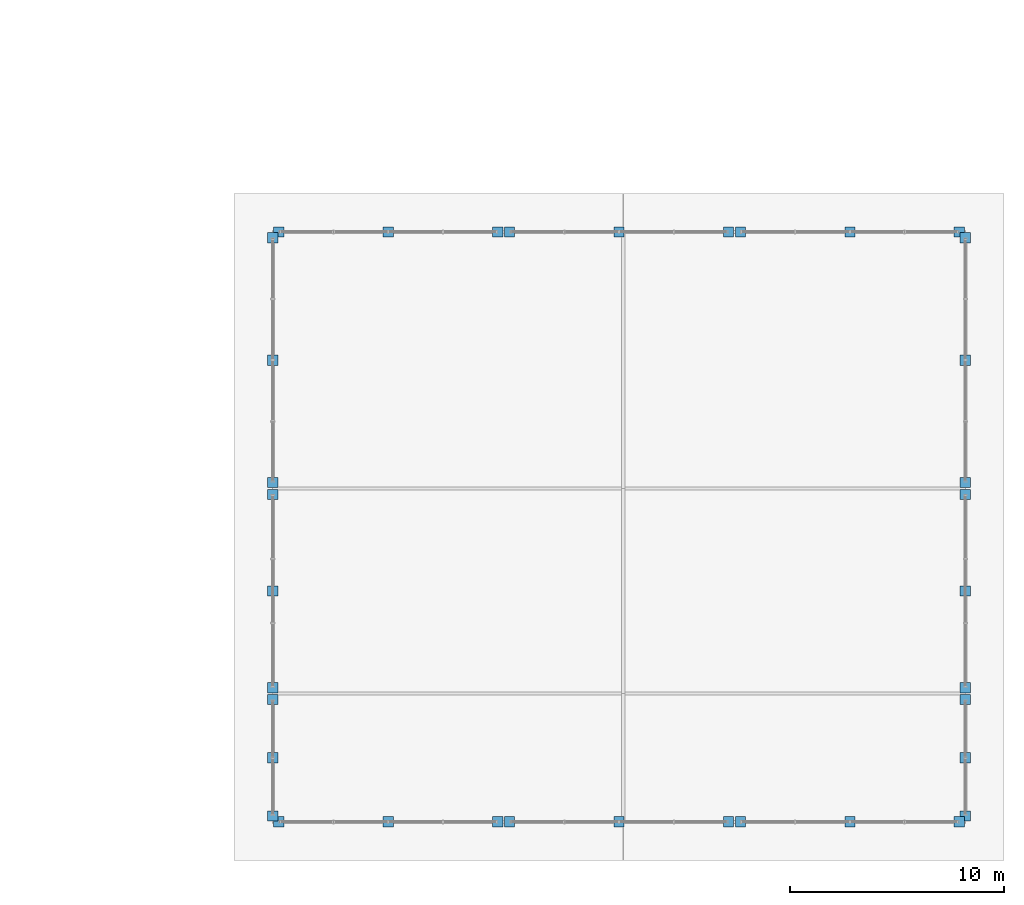
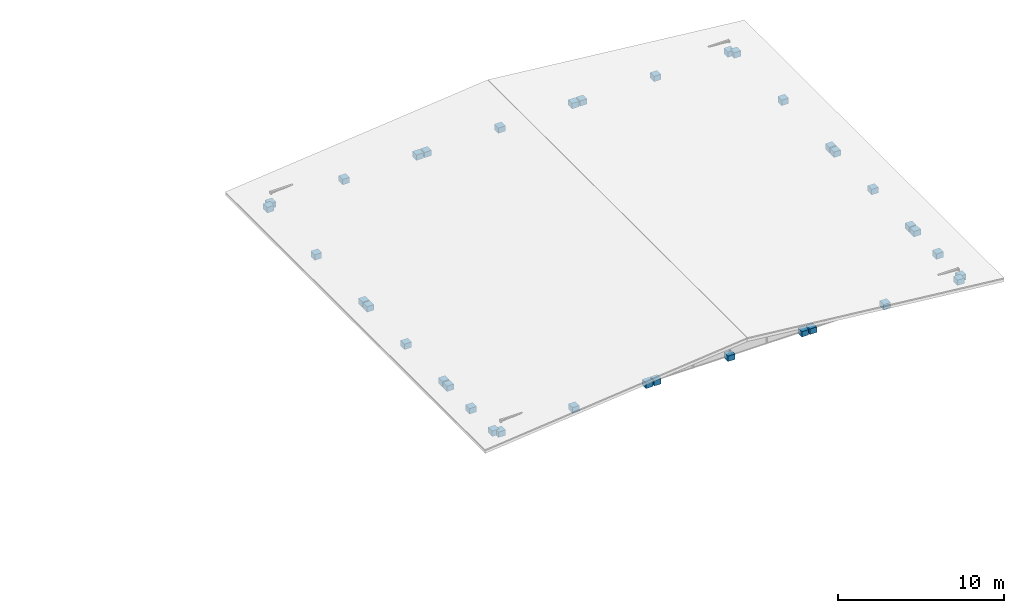
# One storey, part 111 of 117: 36 discrete accessories.
"""IFC4 building model written with IfcOpenShell, lengths in metres."""

from ifc_helpers import new_model, si_unit, direction, frame, origin, origin_2d, place, context, subcontext, project, spatial, rectangle, extrude, material, layer, layer_set, type_object, element, save


model = new_model("IFC4")

# Units and contexts
model_context = context("Model", 3, precision=1e-05, world=origin(), true_north=direction((0.0, 1.0)))
body_context = subcontext(model_context, "Body", "Model", "MODEL_VIEW")
ifc_project = project(units=[si_unit("LENGTHUNIT", "METRE"), si_unit("AREAUNIT", "SQUARE_METRE"), si_unit("VOLUMEUNIT", "CUBIC_METRE"), si_unit("PLANEANGLEUNIT", "RADIAN"), si_unit("MASSUNIT", "GRAM", prefix="KILO")], contexts=[model_context])

# Site, building, storey
site_placement = place(None, origin())
site = spatial("IfcSite", under=ifc_project, at=site_placement, CompositionType="ELEMENT")
building_placement = place(site_placement, origin())
building = spatial("IfcBuilding", under=site, at=building_placement, Name="Merenkruunu Market Hall", CompositionType="ELEMENT")
storey_placement = place(building_placement, frame((0.0, 0.0, 22.800048828125)))
storey = spatial("IfcBuildingStorey", under=building, at=storey_placement, Name="RF", CompositionType="ELEMENT", Elevation=22.800048828125)

# Discrete accessories
ifc_material = material(Name="Brushed stainless steel", Category="steel")
ifc_layer = layer(ifc_material, 0.159912109375)
ifc_layer_set = layer_set([ifc_layer], Name="Brushed stainless steel")
discrete_accessory_type = type_object("IfcDiscreteAccessoryType", Name="Stainless Facade Support Bracket BRK01", PredefinedType="BRACKET", material=ifc_layer_set)
for number, where, z_axis, x_axis, name in (
    (1, (159.60009765625, 0.280029296875, -1.919921875), (0.0, 0.0, 1.0), (1.0, 0.0, 0.0), "ACC-CWBRK-236-1"),
    (2, (159.60009765625, 3.0, -1.919921875), (0.0, 0.0, 1.0), (1.0, 0.0, 0.0), "ACC-CWBRK-236-2"),
    (3, (159.60009765625, 5.719970703125, -1.919921875), (0.0, 0.0, 1.0), (1.0, 0.0, 0.0), "ACC-CWBRK-236-3"),
    (4, (192.0, 5.719970703125, -1.919921875), (0.0, 0.0, 1.0), (1.0, 0.0, 0.0), "ACC-CWBRK-237-1"),
    (5, (192.0, 3.0, -1.919921875), (0.0, 0.0, 1.0), (1.0, 0.0, 0.0), "ACC-CWBRK-237-2"),
    (6, (192.0, 0.280029296875, -1.919921875), (0.0, 0.0, 1.0), (1.0, 0.0, 0.0), "ACC-CWBRK-237-3"),
    (7, (159.60009765625, 6.280029296875, -1.919921875), (0.0, 0.0, 1.0), (1.0, 0.0, 0.0), "ACC-CWBRK-238-1"),
    (8, (159.60009765625, 10.800048828125, -1.919921875), (0.0, 0.0, 1.0), (1.0, 0.0, 0.0), "ACC-CWBRK-238-2"),
    (9, (159.60009765625, 15.320068359375, -1.919921875), (0.0, 0.0, 1.0), (1.0, 0.0, 0.0), "ACC-CWBRK-238-3"),
    (10, (192.0, 15.320068359375, -1.919921875), (0.0, 0.0, 1.0), (1.0, 0.0, 0.0), "ACC-CWBRK-239-1"),
    (11, (192.0, 10.800048828125, -1.919921875), (0.0, 0.0, 1.0), (1.0, 0.0, 0.0), "ACC-CWBRK-239-2"),
    (12, (192.0, 6.280029296875, -1.919921875), (0.0, 0.0, 1.0), (1.0, 0.0, 0.0), "ACC-CWBRK-239-3"),
    (13, (159.60009765625, 15.8798828125, -1.919921875), (0.0, 0.0, 1.0), (1.0, 0.0, 0.0), "ACC-CWBRK-240-1"),
    (14, (159.60009765625, 21.60009765625, -1.919921875), (0.0, 0.0, 1.0), (1.0, 0.0, 0.0), "ACC-CWBRK-240-2"),
    (15, (159.60009765625, 27.320068359375, -1.919921875), (0.0, 0.0, 1.0), (1.0, 0.0, 0.0), "ACC-CWBRK-240-3"),
    (16, (192.0, 27.320068359375, -1.919921875), (0.0, 0.0, 1.0), (1.0, 0.0, 0.0), "ACC-CWBRK-241-1"),
    (17, (192.0, 21.60009765625, -1.919921875), (0.0, 0.0, 1.0), (1.0, 0.0, 0.0), "ACC-CWBRK-241-2"),
    (18, (192.0, 15.8798828125, -1.919921875), (0.0, 0.0, 1.0), (1.0, 0.0, 0.0), "ACC-CWBRK-241-3"),
    (19, (170.1201171875, 0.0, -1.919921875), (0.0, 0.0, 1.0), (1.0, 0.0, 0.0), "ACC-CWBRK-242-1"),
    (20, (165.0, 0.0, -1.919921875), (0.0, 0.0, 1.0), (1.0, 0.0, 0.0), "ACC-CWBRK-242-2"),
    (21, (159.8798828125, 0.0, -1.919921875), (0.0, 0.0, 1.0), (1.0, 0.0, 0.0), "ACC-CWBRK-242-3"),
    (22, (159.8798828125, 27.60009765625, -1.919921875), (0.0, 0.0, 1.0), (1.0, 0.0, 0.0), "ACC-CWBRK-243-1"),
    (23, (165.0, 27.60009765625, -1.919921875), (0.0, 0.0, 1.0), (1.0, 0.0, 0.0), "ACC-CWBRK-243-2"),
    (24, (170.1201171875, 27.60009765625, -1.919921875), (0.0, 0.0, 1.0), (1.0, 0.0, 0.0), "ACC-CWBRK-243-3"),
    (25, (180.919921875, 0.0, -1.919921875), (0.0, 0.0, 1.0), (1.0, 0.0, 0.0), "ACC-CWBRK-244-1"),
    (26, (175.800048828125, 0.0, -1.919921875), (0.0, 0.0, 1.0), (1.0, 0.0, 0.0), "ACC-CWBRK-244-2"),
    (27, (170.679931640625, 0.0, -1.919921875), (0.0, 0.0, 1.0), (1.0, 0.0, 0.0), "ACC-CWBRK-244-3"),
    (28, (170.679931640625, 27.60009765625, -1.919921875), (0.0, 0.0, 1.0), (1.0, 0.0, 0.0), "ACC-CWBRK-245-1"),
    (29, (175.800048828125, 27.60009765625, -1.919921875), (0.0, 0.0, 1.0), (1.0, 0.0, 0.0), "ACC-CWBRK-245-2"),
    (30, (180.919921875, 27.60009765625, -1.919921875), (0.0, 0.0, 1.0), (1.0, 0.0, 0.0), "ACC-CWBRK-245-3"),
    (31, (191.719970703125, 0.0, -1.919921875), (0.0, 0.0, 1.0), (1.0, 0.0, 0.0), "ACC-CWBRK-246-1"),
    (32, (186.60009765625, 0.0, -1.919921875), (0.0, 0.0, 1.0), (1.0, 0.0, 0.0), "ACC-CWBRK-246-2"),
    (33, (181.47998046875, 0.0, -1.919921875), (0.0, 0.0, 1.0), (1.0, 0.0, 0.0), "ACC-CWBRK-246-3"),
    (34, (181.47998046875, 27.60009765625, -1.919921875), (0.0, 0.0, 1.0), (1.0, 0.0, 0.0), "ACC-CWBRK-247-1"),
    (35, (186.60009765625, 27.60009765625, -1.919921875), (0.0, 0.0, 1.0), (1.0, 0.0, 0.0), "ACC-CWBRK-247-2"),
    (36, (191.719970703125, 27.60009765625, -1.919921875), (0.0, 0.0, 1.0), (1.0, 0.0, 0.0), "ACC-CWBRK-247-3"),
):
    element("IfcDiscreteAccessory", number, at=place(storey_placement, frame(where, z_axis=z_axis, x_axis=x_axis)), inside=storey, type_object=discrete_accessory_type, Name=name, PredefinedType="BRACKET", context=body_context, shape_type="SweptSolid", body=[
        extrude(rectangle(XDim=0.47998046875, YDim=0.47998046875, at=origin_2d()), origin(), (0.0, 0.0, 1.0), 0.39990234375),
    ])

save(model, "model.ifc")
